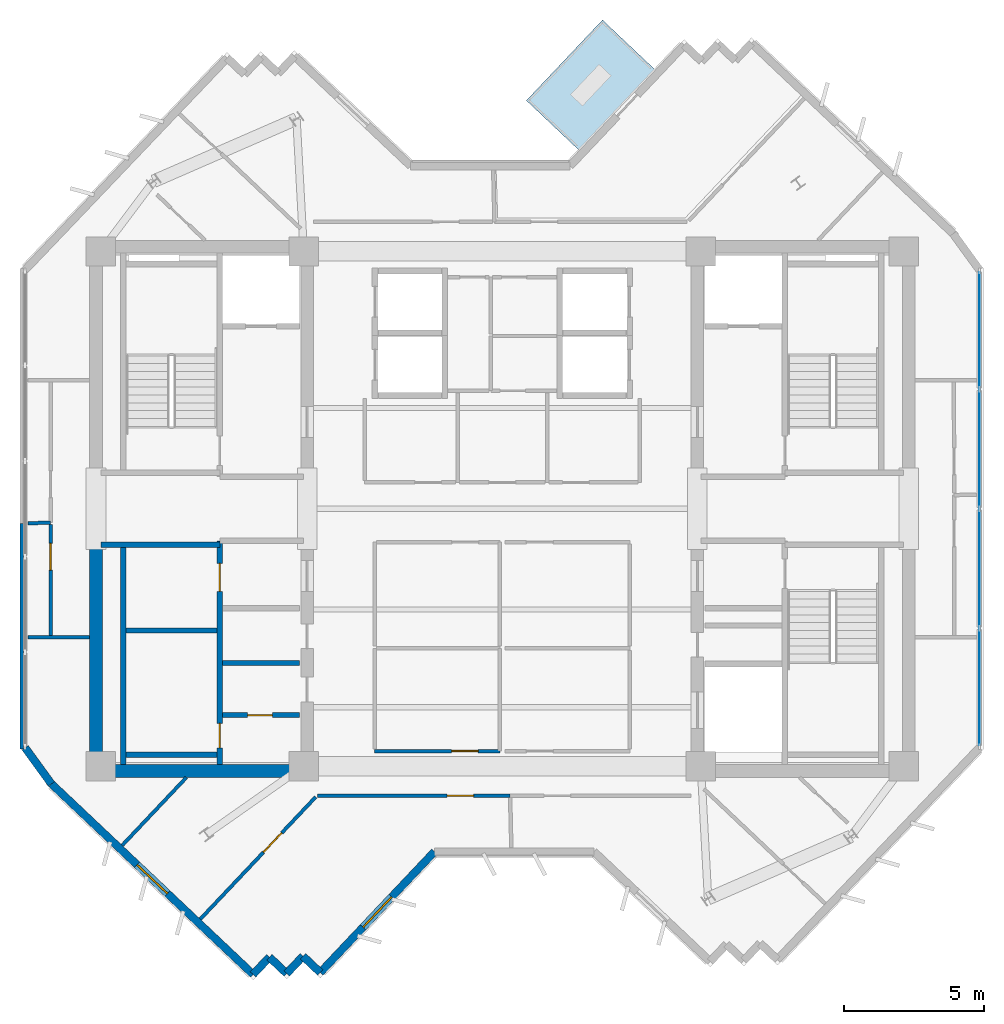
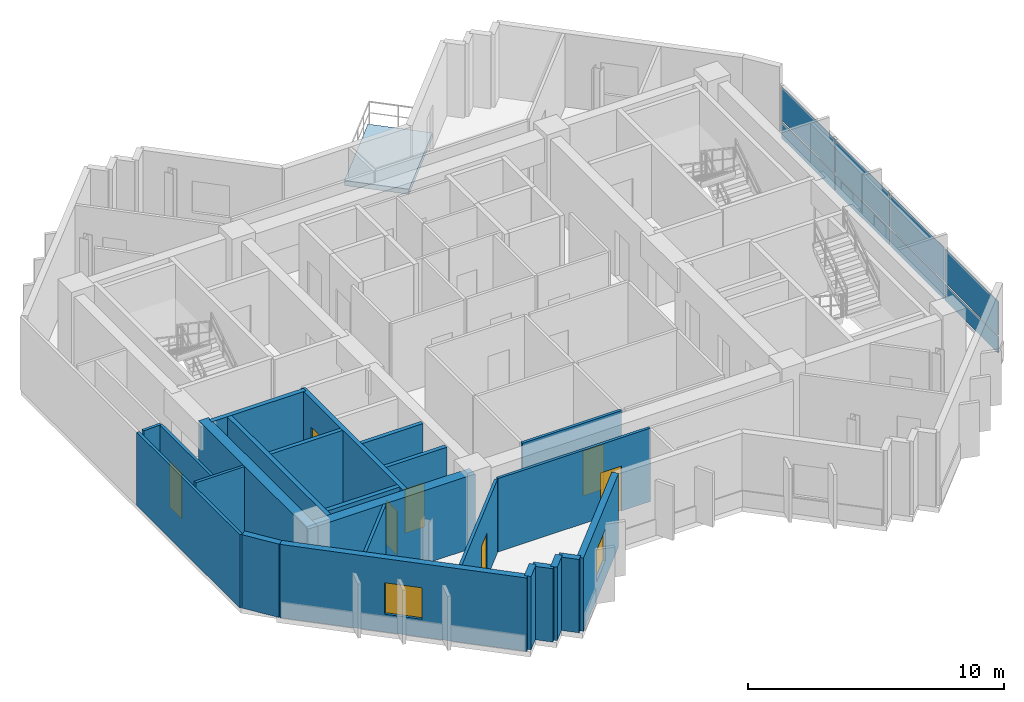
# One storey, part 3 of 9: 24 walls, 8 plates, 7 doors, 2 windows, 1 slab, 9 openings, 1 element without a shape of its own.
"""IFC4 building model written with IfcOpenShell, lengths in metres."""

from ifc_helpers import new_model, si_unit, direction, frame, frame_2d, origin, origin_2d, place, context, subcontext, project, spatial, polyline, rectangle, outline, extrude, source, transform, mapped, material, layer, layer_set, type_object, element, fill, aggregate, save


model = new_model("IFC4")

# Units and contexts
model_context = context("Model", 3, precision=1e-05, world=origin(), true_north=direction((0.0, 1.0)))
body_context = subcontext(model_context, "Body", "Model", "MODEL_VIEW")
ifc_project = project(units=[si_unit("LENGTHUNIT", "METRE"), si_unit("AREAUNIT", "SQUARE_METRE"), si_unit("VOLUMEUNIT", "CUBIC_METRE"), si_unit("PLANEANGLEUNIT", "RADIAN"), si_unit("MASSUNIT", "GRAM", prefix="KILO")], contexts=[model_context])

# Site, building, storey
site_placement = place(None, origin())
site = spatial("IfcSite", under=ifc_project, at=site_placement, CompositionType="ELEMENT")
building_placement = place(site_placement, origin())
building = spatial("IfcBuilding", under=site, at=building_placement, Name="Zahravan Cultural Tower", CompositionType="ELEMENT")
storey_placement = place(building_placement, frame((0.0, 0.0, 302.85009765625)))
storey = spatial("IfcBuildingStorey", under=building, at=storey_placement, Name="L73", CompositionType="ELEMENT", Elevation=302.85009765625)

# Slab
ifc_material_1 = material(Name="Concrete C40/50", Category="concrete")
ifc_layer_1 = layer(ifc_material_1, 0.239990234375)
ifc_layer_set_1 = layer_set([ifc_layer_1], Name="Concrete C40/50")
slab_type = type_object("IfcSlabType", Name="SL-TERR-240", PredefinedType="FLOOR", material=ifc_layer_set_1)
slab_placement = place(storey_placement, frame((0.0, 0.0, -0.239990234375)))
element("IfcSlab", 1, at=slab_placement, inside=storey, type_object=slab_type, Name="L73 Planted Sculpture Terrace NE", PredefinedType="FLOOR", context=body_context, shape_type="SweptSolid", body=[
    extrude(outline(polyline([(36.861328125, 41.596435546875), (38.747314453125, 39.814208984375), (41.46728515625, 42.692138671875), (39.581298828125, 44.474609375), (36.861328125, 41.596435546875)])), origin(), (0.0, 0.0, 1.0), 0.239990234375),
])

# Curtain wall, plates
ifc_material_2 = material(Name="Anodised bronze-aluminium mullion", Category="aluminium")
ifc_layer_2 = layer(ifc_material_2, 0.219970703125)
ifc_layer_set_2 = layer_set([ifc_layer_2], Name="Anodised bronze-aluminium mullion")
curtain_wall_type = type_object("IfcCurtainWallType", Name="CW-SYS-1", PredefinedType="USERDEFINED", material=ifc_layer_set_2)
curtain_wall_placement = place(storey_placement, origin())
curtain_wall = element("IfcCurtainWall", 2, at=curtain_wall_placement, inside=storey, type_object=curtain_wall_type, Name="L73 Recessed Curtain Wall CW-1.1", ObjectType="RECESSED GLAZING", PredefinedType="USERDEFINED")
ifc_material_3 = material(Name="Low-E solar-control double glazing", Category="glass")
ifc_layer_3 = layer(ifc_material_3, 0.031982421875)
ifc_layer_set_3 = layer_set([ifc_layer_3], Name="Low-E solar-control double glazing")
plate_type = type_object("IfcPlateType", Name="CWP-CW-1", PredefinedType="CURTAIN_PANEL", material=ifc_layer_set_3)
shared_shape_1 = source(origin(), body_context, "Body", "SweptSolid", [
    extrude(rectangle(XDim=4.15087890625, YDim=0.031982421875, at=origin_2d()), origin(), (0.0, 0.0, 1.0), 0.780029296875),
])
plate_1_placement = place(storey_placement, frame((53.06005859375, 33.386474609375, 0.080078125), z_axis=(0.0, 0.0, 1.0), x_axis=(0.0, -1.0, 0.0)))
plate_1 = element("IfcPlate", 3, at=plate_1_placement, type_object=plate_type, Name="CW-1 panel 1.1", PredefinedType="CURTAIN_PANEL", context=body_context, shape_type="MappedRepresentation", body=[
    mapped(shared_shape_1, transform((0.0, 0.0, 0.0), x_axis=(1.0, 0.0, 0.0), y_axis=(0.0, 1.0, 0.0), z_axis=(0.0, 0.0, 1.0), scale=1.0)),
])
plate_2_placement = place(storey_placement, frame((53.06005859375, 20.613525390625, 0.080078125), z_axis=(0.0, 0.0, 1.0), x_axis=(0.0, -1.0, 0.0)))
plate_2 = element("IfcPlate", 4, at=plate_2_placement, type_object=plate_type, Name="CW-1 panel 4.1", PredefinedType="CURTAIN_PANEL", context=body_context, shape_type="MappedRepresentation", body=[
    mapped(shared_shape_1, transform((0.0, 0.0, 0.0), x_axis=(1.0, 0.0, 0.0), y_axis=(0.0, 1.0, 0.0), z_axis=(0.0, 0.0, 1.0), scale=1.0)),
])
shared_shape_2 = source(origin(), body_context, "Body", "SweptSolid", [
    extrude(rectangle(XDim=4.15087890625, YDim=0.031982421875, at=origin_2d()), origin(), (0.0, 0.0, 1.0), 1.60009765625),
])
plate_3_placement = place(storey_placement, frame((53.06005859375, 33.386474609375, 0.93994140625), z_axis=(0.0, 0.0, 1.0), x_axis=(0.0, -1.0, 0.0)))
plate_3 = element("IfcPlate", 5, at=plate_3_placement, type_object=plate_type, Name="CW-1 panel 1.2", PredefinedType="CURTAIN_PANEL", context=body_context, shape_type="MappedRepresentation", body=[
    mapped(shared_shape_2, transform((0.0, 0.0, 0.0), x_axis=(1.0, 0.0, 0.0), y_axis=(0.0, 1.0, 0.0), z_axis=(0.0, 0.0, 1.0), scale=1.0)),
])
plate_4_placement = place(storey_placement, frame((53.06005859375, 20.613525390625, 0.93994140625), z_axis=(0.0, 0.0, 1.0), x_axis=(0.0, -1.0, 0.0)))
plate_4 = element("IfcPlate", 6, at=plate_4_placement, type_object=plate_type, Name="CW-1 panel 4.2", PredefinedType="CURTAIN_PANEL", context=body_context, shape_type="MappedRepresentation", body=[
    mapped(shared_shape_2, transform((0.0, 0.0, 0.0), x_axis=(1.0, 0.0, 0.0), y_axis=(0.0, 1.0, 0.0), z_axis=(0.0, 0.0, 1.0), scale=1.0)),
])
shared_shape_3 = source(origin(), body_context, "Body", "SweptSolid", [
    extrude(rectangle(XDim=4.19091796875, YDim=0.031982421875, at=origin_2d()), origin(), (0.0, 0.0, 1.0), 0.780029296875),
])
plate_5_placement = place(storey_placement, frame((53.06005859375, 29.135498046875, 0.080078125), z_axis=(0.0, 0.0, 1.0), x_axis=(0.0, -1.0, 0.0)))
plate_5 = element("IfcPlate", 7, at=plate_5_placement, type_object=plate_type, Name="CW-1 panel 2.1", PredefinedType="CURTAIN_PANEL", context=body_context, shape_type="MappedRepresentation", body=[
    mapped(shared_shape_3, transform((0.0, 0.0, 0.0), x_axis=(1.0, 0.0, 0.0), y_axis=(0.0, 1.0, 0.0), z_axis=(0.0, 0.0, 1.0), scale=1.0)),
])
plate_6_placement = place(storey_placement, frame((53.06005859375, 24.864501953125, 0.080078125), z_axis=(0.0, 0.0, 1.0), x_axis=(0.0, -1.0, 0.0)))
plate_6 = element("IfcPlate", 8, at=plate_6_placement, type_object=plate_type, Name="CW-1 panel 3.1", PredefinedType="CURTAIN_PANEL", context=body_context, shape_type="MappedRepresentation", body=[
    mapped(shared_shape_3, transform((0.0, 0.0, 0.0), x_axis=(1.0, 0.0, 0.0), y_axis=(0.0, 1.0, 0.0), z_axis=(0.0, 0.0, 1.0), scale=1.0)),
])
shared_shape_4 = source(origin(), body_context, "Body", "SweptSolid", [
    extrude(rectangle(XDim=4.19091796875, YDim=0.031982421875, at=origin_2d()), origin(), (0.0, 0.0, 1.0), 1.60009765625),
])
plate_7_placement = place(storey_placement, frame((53.06005859375, 29.135498046875, 0.93994140625), z_axis=(0.0, 0.0, 1.0), x_axis=(0.0, -1.0, 0.0)))
plate_7 = element("IfcPlate", 9, at=plate_7_placement, type_object=plate_type, Name="CW-1 panel 2.2", PredefinedType="CURTAIN_PANEL", context=body_context, shape_type="MappedRepresentation", body=[
    mapped(shared_shape_4, transform((0.0, 0.0, 0.0), x_axis=(1.0, 0.0, 0.0), y_axis=(0.0, 1.0, 0.0), z_axis=(0.0, 0.0, 1.0), scale=1.0)),
])
plate_8_placement = place(storey_placement, frame((53.06005859375, 24.864501953125, 0.93994140625), z_axis=(0.0, 0.0, 1.0), x_axis=(0.0, -1.0, 0.0)))
plate_8 = element("IfcPlate", 10, at=plate_8_placement, type_object=plate_type, Name="CW-1 panel 3.2", PredefinedType="CURTAIN_PANEL", context=body_context, shape_type="MappedRepresentation", body=[
    mapped(shared_shape_4, transform((0.0, 0.0, 0.0), x_axis=(1.0, 0.0, 0.0), y_axis=(0.0, 1.0, 0.0), z_axis=(0.0, 0.0, 1.0), scale=1.0)),
])
aggregate(curtain_wall, [plate_1, plate_3, plate_5, plate_7, plate_6, plate_8, plate_2, plate_4])

# Wall, opening, window
ifc_material_4 = material(Name="Precast concrete C40/50", Category="concrete")
ifc_layer_4 = layer(ifc_material_4, 0.280029296875)
ifc_layer_set_4 = layer_set([ifc_layer_4], Name="Precast concrete C40/50")
wall_type_1 = type_object("IfcWallType", Name="EW-TC-280", PredefinedType="SOLIDWALL", material=ifc_layer_set_4)
wall_1_placement = place(storey_placement, frame((33.576904296875, 14.739990234375, 0.0), z_axis=(0.0, 0.0, 1.0), x_axis=(-0.686888766374, -0.72676256276, 0.0)))
wall_1 = element("IfcWall", 11, at=wall_1_placement, inside=storey, type_object=wall_type_1, Name="L73 Exterior Masonry Frame Wall 15", PredefinedType="SOLIDWALL", context=body_context, shape_type="SweptSolid", body=[
    extrude(rectangle(XDim=5.9453125, YDim=0.280029296875, at=frame_2d((2.97265625, 0.0))), origin(), (0.0, 0.0, 1.0), 3.5),
])
opening_1_placement = place(wall_1_placement, frame((2.222900390625, 0.0, 0.85009765625)))
opening_1 = element("IfcOpeningElement", 12, at=opening_1_placement, cuts=wall_1, Name="Opening WN-03", PredefinedType="OPENING", context=body_context, shape_type="SweptSolid", body=[
    extrude(rectangle(XDim=1.5, YDim=1.5, at=frame_2d((0.75, 0.75))), frame((0.0, 0.14990234375, 0.0), z_axis=(0.0, -1.0, 0.0), x_axis=(1.0, 0.0, 0.0)), (0.0, 0.0, 1.0), 0.300048828125),
])
window_type = type_object("IfcWindowType", Name="WN-REC-1500X1500", PartitioningType="SINGLE_PANEL", PredefinedType="WINDOW", material=ifc_material_3)
shared_shape_5 = source(origin(), body_context, "Body", "SweptSolid", [
    extrude(rectangle(XDim=1.5, YDim=1.5, at=frame_2d((0.75, 0.75))), frame((0.0, 0.030029296875, 0.0), z_axis=(0.0, -1.0, 0.0), x_axis=(1.0, 0.0, 0.0)), (0.0, 0.0, 1.0), 0.06005859375),
])
window_1_placement = place(opening_1_placement, origin())
window_1 = element("IfcWindow", 13, at=window_1_placement, inside=storey, type_object=window_type, Name="L73 Recessed Solar Window 03", OverallHeight=1.5, OverallWidth=1.5, PartitioningType="SINGLE_PANEL", PredefinedType="WINDOW", context=body_context, shape_type="MappedRepresentation", body=[
    mapped(shared_shape_5, transform((0.0, 0.0, 0.0), x_axis=(1.0, 0.0, 0.0), y_axis=(0.0, 1.0, 0.0), z_axis=(0.0, 0.0, 1.0), scale=1.0)),
])
fill(opening_1, window_1)

wall_2_placement = place(storey_placement, frame((27.08984375, 10.351318359375, 0.0), z_axis=(0.0, 0.0, 1.0), x_axis=(-0.726772856404, 0.686877875022, 0.0)))
wall_2 = element("IfcWall", 14, at=wall_2_placement, inside=storey, type_object=wall_type_1, Name="L73 Exterior Masonry Frame Wall 20", PredefinedType="SOLIDWALL", context=body_context, shape_type="SweptSolid", body=[
    extrude(rectangle(XDim=9.919921875, YDim=0.280029296875, at=frame_2d((4.9599609375, 0.0))), origin(), (0.0, 0.0, 1.0), 3.5),
])
opening_2_placement = place(wall_2_placement, frame((4.2099609375, 0.0, 0.85009765625)))
opening_2 = element("IfcOpeningElement", 15, at=opening_2_placement, cuts=wall_2, Name="Opening WN-03", PredefinedType="OPENING", context=body_context, shape_type="SweptSolid", body=[
    extrude(rectangle(XDim=1.5, YDim=1.5, at=frame_2d((0.75, 0.75))), frame((0.0, 0.14990234375, 0.0), z_axis=(0.0, -1.0, 0.0), x_axis=(1.0, 0.0, 0.0)), (0.0, 0.0, 1.0), 0.300048828125),
])
window_2_placement = place(opening_2_placement, origin())
window_2 = element("IfcWindow", 16, at=window_2_placement, inside=storey, type_object=window_type, Name="L73 Recessed Solar Window 04", OverallHeight=1.5, OverallWidth=1.5, PartitioningType="SINGLE_PANEL", PredefinedType="WINDOW", context=body_context, shape_type="MappedRepresentation", body=[
    mapped(shared_shape_5, transform((0.0, 0.0, 0.0), x_axis=(1.0, 0.0, 0.0), y_axis=(0.0, 1.0, 0.0), z_axis=(0.0, 0.0, 1.0), scale=1.0)),
])
fill(opening_2, window_2)

# Wall, opening, door
ifc_material_5 = material(Name="Gypsum plasterboard partition")
ifc_layer_5 = layer(ifc_material_5, 0.179931640625)
ifc_layer_set_5 = layer_set([ifc_layer_5], Name="Gypsum plasterboard partition")
wall_type_2 = type_object("IfcWallType", Name="W-COMP-180", PredefinedType="PARTITIONING", material=ifc_layer_set_5)
wall_3_placement = place(storey_placement, frame((26.0, 19.6201171875, 0.0), z_axis=(0.0, 0.0, 1.0), x_axis=(1.0, 0.0, 0.0)))
wall_3 = element("IfcWall", 17, at=wall_3_placement, inside=storey, type_object=wall_type_2, Name="L73 Interior Wall 027", PredefinedType="PARTITIONING", context=body_context, shape_type="SweptSolid", body=[
    extrude(rectangle(XDim=2.75, YDim=0.179931640625, at=frame_2d((1.375, 0.0))), origin(), (0.0, 0.0, 1.0), 3.5),
])
opening_3_placement = place(wall_3_placement, frame((0.89990234375, 0.0, 0.0)))
opening_3 = element("IfcOpeningElement", 18, at=opening_3_placement, cuts=wall_3, Name="Opening D-L73-10", PredefinedType="OPENING", context=body_context, shape_type="SweptSolid", body=[
    extrude(rectangle(XDim=0.8798828125, YDim=2.10009765625, at=frame_2d((0.43994140625, 1.050048828125))), frame((0.0, 0.099853515625, 0.0), z_axis=(0.0, -1.0, 0.0), x_axis=(1.0, 0.0, 0.0)), (0.0, 0.0, 1.0), 0.199951171875),
])
ifc_material_6 = material(Name="Steel ASTM A572 Grade 50", Category="steel")
door_type_1 = type_object("IfcDoorType", Name="DR-SVC-880", OperationType="NOTDEFINED", PredefinedType="DOOR", material=ifc_material_6)
shared_shape_6 = source(origin(), body_context, "Body", "SweptSolid", [
    extrude(rectangle(XDim=0.8798828125, YDim=2.10009765625, at=frame_2d((0.43994140625, 1.050048828125))), frame((0.0, 0.02490234375, 0.0), z_axis=(0.0, -1.0, 0.0), x_axis=(1.0, 0.0, 0.0)), (0.0, 0.0, 1.0), 0.050048828125),
])
door_1_placement = place(opening_3_placement, origin())
door_1 = element("IfcDoor", 19, at=door_1_placement, inside=storey, type_object=door_type_1, Name="L73 Door D-L73-10", OperationType="SINGLE_SWING_RIGHT", OverallHeight=2.10009765625, OverallWidth=0.8798828125, PredefinedType="DOOR", context=body_context, shape_type="MappedRepresentation", body=[
    mapped(shared_shape_6, transform((0.0, 0.0, 0.0), x_axis=(1.0, 0.0, 0.0), y_axis=(0.0, 1.0, 0.0), z_axis=(0.0, 0.0, 1.0), scale=1.0)),
])
fill(opening_3, door_1)

ifc_layer_6 = layer(ifc_material_5, 0.125)
ifc_layer_set_6 = layer_set([ifc_layer_6], Name="Gypsum plasterboard partition")
wall_type_3 = type_object("IfcWallType", Name="W-PART-125", PredefinedType="PARTITIONING", material=ifc_layer_set_6)
wall_4_placement = place(storey_placement, frame((35.909912109375, 18.340087890625, 0.0), z_axis=(0.0, 0.0, 1.0), x_axis=(-1.0, 0.0, 0.0)))
wall_4 = element("IfcWall", 20, at=wall_4_placement, inside=storey, type_object=wall_type_3, Name="L73 Interior Wall 062", PredefinedType="PARTITIONING", context=body_context, shape_type="SweptSolid", body=[
    extrude(rectangle(XDim=4.469970703125, YDim=0.125, at=frame_2d((2.23486328125, 0.0))), origin(), (0.0, 0.0, 1.0), 3.5),
])
opening_4_placement = place(wall_4_placement, frame((0.7744140625, 0.0, 0.0)))
opening_4 = element("IfcOpeningElement", 21, at=opening_4_placement, cuts=wall_4, Name="Opening D-L73-14", PredefinedType="OPENING", context=body_context, shape_type="SweptSolid", body=[
    extrude(rectangle(XDim=0.949951171875, YDim=2.14990234375, at=frame_2d((0.47509765625, 1.074951171875))), frame((0.0, 0.072509765625, 0.0), z_axis=(0.0, -1.0, 0.0), x_axis=(1.0, 0.0, 0.0)), (0.0, 0.0, 1.0), 0.14501953125),
])
door_type_2 = type_object("IfcDoorType", Name="DR-ROOM-950", OperationType="NOTDEFINED", PredefinedType="DOOR", material=ifc_material_2)
shared_shape_7 = source(origin(), body_context, "Body", "SweptSolid", [
    extrude(rectangle(XDim=0.949951171875, YDim=2.14990234375, at=frame_2d((0.47509765625, 1.074951171875))), frame((0.0, 0.02490234375, 0.0), z_axis=(0.0, -1.0, 0.0), x_axis=(1.0, 0.0, 0.0)), (0.0, 0.0, 1.0), 0.050048828125),
])
door_2_placement = place(opening_4_placement, origin())
door_2 = element("IfcDoor", 22, at=door_2_placement, inside=storey, type_object=door_type_2, Name="L73 Door D-L73-14", OperationType="SINGLE_SWING_RIGHT", OverallHeight=2.14990234375, OverallWidth=0.949951171875, PredefinedType="DOOR", context=body_context, shape_type="MappedRepresentation", body=[
    mapped(shared_shape_7, transform((0.0, 0.0, 0.0), x_axis=(1.0, 0.0, 0.0), y_axis=(0.0, 1.0, 0.0), z_axis=(0.0, 0.0, 1.0), scale=1.0)),
])
fill(opening_4, door_2)

wall_5_placement = place(storey_placement, frame((29.32763671875, 16.693603515625, 0.0), z_axis=(0.0, 0.0, 1.0), x_axis=(-0.686871949206, -0.726778456886, 0.0)))
wall_5 = element("IfcWall", 23, at=wall_5_placement, inside=storey, type_object=wall_type_3, Name="L73 Interior Wall 084", PredefinedType="PARTITIONING", context=body_context, shape_type="SweptSolid", body=[
    extrude(rectangle(XDim=6.00146484375, YDim=0.125, at=frame_2d((3.000732421875, 0.0))), origin(), (0.0, 0.0, 1.0), 3.5),
])
opening_5_placement = place(wall_5_placement, frame((1.76806640625, 0.0, 0.0)))
opening_5 = element("IfcOpeningElement", 24, at=opening_5_placement, cuts=wall_5, Name="Opening D-L73-34", PredefinedType="OPENING", context=body_context, shape_type="SweptSolid", body=[
    extrude(rectangle(XDim=0.949951171875, YDim=2.14990234375, at=frame_2d((0.47509765625, 1.074951171875))), frame((0.0, 0.072509765625, 0.0), z_axis=(0.0, -1.0, 0.0), x_axis=(1.0, 0.0, 0.0)), (0.0, 0.0, 1.0), 0.14501953125),
])
door_3_placement = place(opening_5_placement, origin())
door_3 = element("IfcDoor", 25, at=door_3_placement, inside=storey, type_object=door_type_2, Name="L73 Door D-L73-34", OperationType="SINGLE_SWING_RIGHT", OverallHeight=2.14990234375, OverallWidth=0.949951171875, PredefinedType="DOOR", context=body_context, shape_type="MappedRepresentation", body=[
    mapped(shared_shape_7, transform((0.0, 0.0, 0.0), x_axis=(1.0, 0.0, 0.0), y_axis=(0.0, 1.0, 0.0), z_axis=(0.0, 0.0, 1.0), scale=1.0)),
])
fill(opening_5, door_3)

wall_6_placement = place(storey_placement, frame((19.85009765625, 26.43896484375, 0.0), z_axis=(0.0, 0.0, 1.0), x_axis=(0.000241837961, -0.999999970757, 0.0)))
wall_6 = element("IfcWall", 26, at=wall_6_placement, inside=storey, type_object=wall_type_3, Name="L73 Interior Wall 085", PredefinedType="PARTITIONING", context=body_context, shape_type="SweptSolid", body=[
    extrude(rectangle(XDim=4.0380859375, YDim=0.125, at=frame_2d((2.01904296875, 0.0))), origin(), (0.0, 0.0, 1.0), 3.5),
])
opening_6_placement = place(wall_6_placement, frame((0.679443359375, 0.0, 0.0)))
opening_6 = element("IfcOpeningElement", 27, at=opening_6_placement, cuts=wall_6, Name="Opening D-L73-27", PredefinedType="OPENING", context=body_context, shape_type="SweptSolid", body=[
    extrude(rectangle(XDim=0.949951171875, YDim=2.14990234375, at=frame_2d((0.47509765625, 1.074951171875))), frame((0.0, 0.072509765625, 0.0), z_axis=(0.0, -1.0, 0.0), x_axis=(1.0, 0.0, 0.0)), (0.0, 0.0, 1.0), 0.14501953125),
])
door_4_placement = place(opening_6_placement, origin())
door_4 = element("IfcDoor", 28, at=door_4_placement, inside=storey, type_object=door_type_2, Name="L73 Door D-L73-27", OperationType="SINGLE_SWING_LEFT", OverallHeight=2.14990234375, OverallWidth=0.949951171875, PredefinedType="DOOR", context=body_context, shape_type="MappedRepresentation", body=[
    mapped(shared_shape_7, transform((0.0, 0.0, 0.0), x_axis=(1.0, 0.0, 0.0), y_axis=(0.0, 1.0, 0.0), z_axis=(0.0, 0.0, 1.0), scale=1.0)),
])
fill(opening_6, door_4)

wall_7_placement = place(storey_placement, frame((29.399169921875, 16.739990234375, 0.0), z_axis=(0.0, 0.0, 1.0), x_axis=(1.0, 0.0, 0.0)))
wall_7 = element("IfcWall", 29, at=wall_7_placement, inside=storey, type_object=wall_type_3, Name="L73 Interior Wall 095", PredefinedType="PARTITIONING", context=body_context, shape_type="SweptSolid", body=[
    extrude(rectangle(XDim=6.880615234375, YDim=0.125, at=frame_2d((3.4404296875, 0.0))), origin(), (0.0, 0.0, 1.0), 3.5),
])
opening_7_placement = place(wall_7_placement, frame((4.6259765625, 0.0, 0.0)))
opening_7 = element("IfcOpeningElement", 30, at=opening_7_placement, cuts=wall_7, Name="Opening D-L73-28", PredefinedType="OPENING", context=body_context, shape_type="SweptSolid", body=[
    extrude(rectangle(XDim=0.949951171875, YDim=2.14990234375, at=frame_2d((0.47509765625, 1.074951171875))), frame((0.0, 0.072509765625, 0.0), z_axis=(0.0, -1.0, 0.0), x_axis=(1.0, 0.0, 0.0)), (0.0, 0.0, 1.0), 0.14501953125),
])
door_5_placement = place(opening_7_placement, origin())
door_5 = element("IfcDoor", 31, at=door_5_placement, inside=storey, type_object=door_type_2, Name="L73 Door D-L73-28", OperationType="SINGLE_SWING_RIGHT", OverallHeight=2.14990234375, OverallWidth=0.949951171875, PredefinedType="DOOR", context=body_context, shape_type="MappedRepresentation", body=[
    mapped(shared_shape_7, transform((0.0, 0.0, 0.0), x_axis=(1.0, 0.0, 0.0), y_axis=(0.0, 1.0, 0.0), z_axis=(0.0, 0.0, 1.0), scale=1.0)),
])
fill(opening_7, door_5)

# Wall, openings, doors
ifc_material_7 = material(Name="Concrete C45/55", Category="concrete")
ifc_layer_7 = layer(ifc_material_7, 0.199951171875)
ifc_layer_set_7 = layer_set([ifc_layer_7], Name="Concrete C45/55")
wall_type_4 = type_object("IfcWallType", Name="W-SHAFT-200", PredefinedType="SOLIDWALL", material=ifc_layer_set_7)
wall_8_placement = place(storey_placement, frame((25.89990234375, 17.85009765625, 0.0), z_axis=(0.0, 0.0, 1.0), x_axis=(0.0, 1.0, 0.0)))
wall_8 = element("IfcWall", 32, at=wall_8_placement, inside=storey, type_object=wall_type_4, Name="L73 Interior Wall 005", PredefinedType="SOLIDWALL", context=body_context, shape_type="SweptSolid", body=[
    extrude(rectangle(XDim=8.0, YDim=0.199951171875, at=frame_2d((4.0, 0.0))), origin(), (0.0, 0.0, 1.0), 3.5),
])
opening_8_placement = place(wall_8_placement, frame((6.199951171875, 0.0, 0.0)))
opening_8 = element("IfcOpeningElement", 33, at=opening_8_placement, cuts=wall_8, Name="Opening D-L73-04", PredefinedType="OPENING", context=body_context, shape_type="SweptSolid", body=[
    extrude(rectangle(XDim=1.0, YDim=2.14990234375, at=frame_2d((0.5, 1.074951171875))), frame((0.0, 0.10986328125, 0.0), z_axis=(0.0, -1.0, 0.0), x_axis=(1.0, 0.0, 0.0)), (0.0, 0.0, 1.0), 0.219970703125),
])
opening_9_placement = place(wall_8_placement, frame((0.60009765625, 0.0, 0.0)))
opening_9 = element("IfcOpeningElement", 34, at=opening_9_placement, cuts=wall_8, Name="Opening D-L73-05", PredefinedType="OPENING", context=body_context, shape_type="SweptSolid", body=[
    extrude(rectangle(XDim=0.8798828125, YDim=2.10009765625, at=frame_2d((0.43994140625, 1.050048828125))), frame((0.0, 0.10986328125, 0.0), z_axis=(0.0, -1.0, 0.0), x_axis=(1.0, 0.0, 0.0)), (0.0, 0.0, 1.0), 0.219970703125),
])
door_6_placement = place(opening_9_placement, origin())
door_6 = element("IfcDoor", 35, at=door_6_placement, inside=storey, type_object=door_type_1, Name="L73 Door D-L73-05", OperationType="SINGLE_SWING_LEFT", OverallHeight=2.10009765625, OverallWidth=0.8798828125, PredefinedType="DOOR", context=body_context, shape_type="MappedRepresentation", body=[
    mapped(shared_shape_6, transform((0.0, 0.0, 0.0), x_axis=(1.0, 0.0, 0.0), y_axis=(0.0, 1.0, 0.0), z_axis=(0.0, 0.0, 1.0), scale=1.0)),
])
fill(opening_9, door_6)
door_type_3 = type_object("IfcDoorType", Name="DR-COMP-1000", OperationType="NOTDEFINED", PredefinedType="DOOR", material=ifc_material_6)
shared_shape_8 = source(origin(), body_context, "Body", "SweptSolid", [
    extrude(rectangle(XDim=1.0, YDim=2.14990234375, at=frame_2d((0.5, 1.074951171875))), frame((0.0, 0.02490234375, 0.0), z_axis=(0.0, -1.0, 0.0), x_axis=(1.0, 0.0, 0.0)), (0.0, 0.0, 1.0), 0.050048828125),
])
door_7_placement = place(opening_8_placement, origin())
door_7 = element("IfcDoor", 36, at=door_7_placement, inside=storey, type_object=door_type_3, Name="L73 Door D-L73-04", OperationType="SINGLE_SWING_RIGHT", OverallHeight=2.14990234375, OverallWidth=1.0, PredefinedType="DOOR", context=body_context, shape_type="MappedRepresentation", body=[
    mapped(shared_shape_8, transform((0.0, 0.0, 0.0), x_axis=(1.0, 0.0, 0.0), y_axis=(0.0, 1.0, 0.0), z_axis=(0.0, 0.0, 1.0), scale=1.0)),
])
fill(opening_8, door_7)

# Walls
ifc_material_8 = material(Name="Concrete C50/60", Category="concrete")
ifc_layer_8 = layer(ifc_material_8, 0.449951171875)
ifc_layer_set_8 = layer_set([ifc_layer_8], Name="Concrete C50/60")
wall_type_5 = type_object("IfcWallType", Name="CW-SHEAR-450-C50", PredefinedType="SHEAR", material=ifc_layer_set_8)
shared_shape_9 = source(origin(), body_context, "Body", "SweptSolid", [
    extrude(rectangle(XDim=8.550048828125, YDim=0.449951171875, at=frame_2d((4.27490234375, 0.0))), origin(), (0.0, 0.0, 1.0), 3.5),
])
wall_9_placement = place(storey_placement, frame((21.47509765625, 17.39990234375, 0.0), z_axis=(0.0, 0.0, 1.0), x_axis=(0.0, 1.0, 0.0)))
element("IfcWall", 37, at=wall_9_placement, inside=storey, type_object=wall_type_5, Name="L73 Core Shear Wall CW-W-WS-L73", PredefinedType="SHEAR", context=body_context, shape_type="MappedRepresentation", body=[
    mapped(shared_shape_9, transform((0.0, 0.0, 0.0), x_axis=(1.0, 0.0, 0.0), y_axis=(0.0, 1.0, 0.0), z_axis=(0.0, 0.0, 1.0), scale=1.0)),
])
shared_shape_10 = source(origin(), body_context, "Body", "SweptSolid", [
    extrude(rectangle(XDim=7.10009765625, YDim=0.449951171875, at=frame_2d((3.550048828125, 0.0))), origin(), (0.0, 0.0, 1.0), 3.5),
])
wall_10_placement = place(storey_placement, frame((21.699951171875, 17.625, 0.0), z_axis=(0.0, 0.0, 1.0), x_axis=(1.0, 0.0, 0.0)))
element("IfcWall", 38, at=wall_10_placement, inside=storey, type_object=wall_type_5, Name="L73 Core Shear Wall CW-W-S-L73", PredefinedType="SHEAR", context=body_context, shape_type="MappedRepresentation", body=[
    mapped(shared_shape_10, transform((0.0, 0.0, 0.0), x_axis=(1.0, 0.0, 0.0), y_axis=(0.0, 1.0, 0.0), z_axis=(0.0, 0.0, 1.0), scale=1.0)),
])
shared_shape_11 = source(origin(), body_context, "Body", "SweptSolid", [
    extrude(rectangle(XDim=0.85009765625, YDim=0.280029296875, at=frame_2d((0.425048828125, 0.0))), origin(), (0.0, 0.0, 1.0), 3.5),
])
for number, where, z_axis, x_axis, name in (
    (39, (28.87548828125, 11.0029296875, 0.0), (0.0, 0.0, 1.0), (-0.687011382404, -0.726646654466, 0.0), "L73 Exterior Masonry Frame Wall 17"),
    (40, (27.673828125, 10.968994140625, 0.0), (0.0, 0.0, 1.0), (-0.687011382404, -0.726646654466, 0.0), "L73 Exterior Masonry Frame Wall 19"),
):
    element("IfcWall", number, at=place(storey_placement, frame(where, z_axis=z_axis, x_axis=x_axis)), inside=storey, type_object=wall_type_1, Name=name, PredefinedType="SOLIDWALL", context=body_context, shape_type="MappedRepresentation", body=[
        mapped(shared_shape_11, transform((0.0, 0.0, 0.0), x_axis=(1.0, 0.0, 0.0), y_axis=(0.0, 1.0, 0.0), z_axis=(0.0, 0.0, 1.0), scale=1.0)),
    ])
shared_shape_12 = source(origin(), body_context, "Body", "SweptSolid", [
    extrude(rectangle(XDim=0.849853515625, YDim=0.280029296875, at=frame_2d((0.4248046875, 0.0))), origin(), (0.0, 0.0, 1.0), 3.5),
])
for number, where, z_axis, x_axis, name in (
    (41, (29.4931640625, 10.419189453125, 0.0), (0.0, 0.0, 1.0), (-0.726790047388, 0.686859685101, 0.0), "L73 Exterior Masonry Frame Wall 16"),
    (42, (28.29150390625, 10.38525390625, 0.0), (0.0, 0.0, 1.0), (-0.726790047388, 0.686859685101, 0.0), "L73 Exterior Masonry Frame Wall 18"),
):
    element("IfcWall", number, at=place(storey_placement, frame(where, z_axis=z_axis, x_axis=x_axis)), inside=storey, type_object=wall_type_1, Name=name, PredefinedType="SOLIDWALL", context=body_context, shape_type="MappedRepresentation", body=[
        mapped(shared_shape_12, transform((0.0, 0.0, 0.0), x_axis=(1.0, 0.0, 0.0), y_axis=(0.0, 1.0, 0.0), z_axis=(0.0, 0.0, 1.0), scale=1.0)),
    ])
shared_shape_13 = source(origin(), body_context, "Body", "SweptSolid", [
    extrude(rectangle(XDim=1.598876953125, YDim=0.280029296875, at=frame_2d((0.79931640625, 0.0))), origin(), (0.0, 0.0, 1.0), 3.5),
])
wall_11_placement = place(storey_placement, frame((19.88037109375, 17.1650390625, 0.0), z_axis=(0.0, 0.0, 1.0), x_axis=(-0.58820801539, 0.808709670173, 0.0)))
element("IfcWall", 43, at=wall_11_placement, inside=storey, type_object=wall_type_1, Name="L73 Exterior Masonry Frame Wall 21", PredefinedType="SOLIDWALL", context=body_context, shape_type="MappedRepresentation", body=[
    mapped(shared_shape_13, transform((0.0, 0.0, 0.0), x_axis=(1.0, 0.0, 0.0), y_axis=(0.0, 1.0, 0.0), z_axis=(0.0, 0.0, 1.0), scale=1.0)),
])
shared_shape_14 = source(origin(), body_context, "Body", "SweptSolid", [
    extrude(rectangle(XDim=7.869873046875, YDim=0.199951171875, at=frame_2d((3.93505859375, 0.0))), origin(), (0.0, 0.0, 1.0), 3.5),
])
wall_12_placement = place(storey_placement, frame((22.449951171875, 17.85009765625, 0.0), z_axis=(0.0, 0.0, 1.0), x_axis=(0.0, 1.0, 0.0)))
element("IfcWall", 44, at=wall_12_placement, inside=storey, type_object=wall_type_4, Name="L73 Interior Wall 001", PredefinedType="SOLIDWALL", context=body_context, shape_type="MappedRepresentation", body=[
    mapped(shared_shape_14, transform((0.0, 0.0, 0.0), x_axis=(1.0, 0.0, 0.0), y_axis=(0.0, 1.0, 0.0), z_axis=(0.0, 0.0, 1.0), scale=1.0)),
])
shared_shape_15 = source(origin(), body_context, "Body", "SweptSolid", [
    extrude(rectangle(XDim=4.25, YDim=0.199951171875, at=frame_2d((2.125, 0.0))), origin(), (0.0, 0.0, 1.0), 3.5),
])
wall_13_placement = place(storey_placement, frame((21.64990234375, 25.715087890625, 0.0), z_axis=(0.0, 0.0, 1.0), x_axis=(1.0, 0.0, 0.0)))
element("IfcWall", 45, at=wall_13_placement, inside=storey, type_object=wall_type_4, Name="L73 Interior Wall 009", PredefinedType="SOLIDWALL", context=body_context, shape_type="MappedRepresentation", body=[
    mapped(shared_shape_15, transform((0.0, 0.0, 0.0), x_axis=(1.0, 0.0, 0.0), y_axis=(0.0, 1.0, 0.0), z_axis=(0.0, 0.0, 1.0), scale=1.0)),
])
shared_shape_16 = source(origin(), body_context, "Body", "SweptSolid", [
    extrude(rectangle(XDim=3.25, YDim=0.199951171875, at=frame_2d((1.625, 0.0))), origin(), (0.0, 0.0, 1.0), 3.5),
])
wall_14_placement = place(storey_placement, frame((22.550048828125, 18.199951171875, 0.0), z_axis=(0.0, 0.0, 1.0), x_axis=(1.0, 0.0, 0.0)))
element("IfcWall", 46, at=wall_14_placement, inside=storey, type_object=wall_type_4, Name="L73 Interior Wall 019", PredefinedType="SOLIDWALL", context=body_context, shape_type="MappedRepresentation", body=[
    mapped(shared_shape_16, transform((0.0, 0.0, 0.0), x_axis=(1.0, 0.0, 0.0), y_axis=(0.0, 1.0, 0.0), z_axis=(0.0, 0.0, 1.0), scale=1.0)),
])
shared_shape_17 = source(origin(), body_context, "Body", "SweptSolid", [
    extrude(rectangle(XDim=3.25, YDim=0.179931640625, at=frame_2d((1.625, 0.0))), origin(), (0.0, 0.0, 1.0), 3.5),
])
wall_15_placement = place(storey_placement, frame((22.550048828125, 22.64990234375, 0.0), z_axis=(0.0, 0.0, 1.0), x_axis=(1.0, 0.0, 0.0)))
element("IfcWall", 47, at=wall_15_placement, inside=storey, type_object=wall_type_2, Name="L73 Interior Wall 021", PredefinedType="PARTITIONING", context=body_context, shape_type="MappedRepresentation", body=[
    mapped(shared_shape_17, transform((0.0, 0.0, 0.0), x_axis=(1.0, 0.0, 0.0), y_axis=(0.0, 1.0, 0.0), z_axis=(0.0, 0.0, 1.0), scale=1.0)),
])
shared_shape_18 = source(origin(), body_context, "Body", "SweptSolid", [
    extrude(rectangle(XDim=2.75, YDim=0.179931640625, at=frame_2d((1.375, 0.0))), origin(), (0.0, 0.0, 1.0), 3.5),
])
wall_16_placement = place(storey_placement, frame((26.0, 21.47998046875, 0.0), z_axis=(0.0, 0.0, 1.0), x_axis=(1.0, 0.0, 0.0)))
element("IfcWall", 48, at=wall_16_placement, inside=storey, type_object=wall_type_2, Name="L73 Interior Wall 028", PredefinedType="PARTITIONING", context=body_context, shape_type="MappedRepresentation", body=[
    mapped(shared_shape_18, transform((0.0, 0.0, 0.0), x_axis=(1.0, 0.0, 0.0), y_axis=(0.0, 1.0, 0.0), z_axis=(0.0, 0.0, 1.0), scale=1.0)),
])
shared_shape_19 = source(origin(), body_context, "Body", "SweptSolid", [
    extrude(rectangle(XDim=2.205078125, YDim=0.125, at=frame_2d((1.1025390625, 0.0))), origin(), (0.0, 0.0, 1.0), 3.5),
])
wall_17_placement = place(storey_placement, frame((19.0400390625, 22.401611328125, 0.0), z_axis=(0.0, 0.0, 1.0), x_axis=(0.99999969967, -0.000775021911, 0.0)))
element("IfcWall", 49, at=wall_17_placement, inside=storey, type_object=wall_type_3, Name="L73 Interior Wall 086", PredefinedType="PARTITIONING", context=body_context, shape_type="MappedRepresentation", body=[
    mapped(shared_shape_19, transform((0.0, 0.0, 0.0), x_axis=(1.0, 0.0, 0.0), y_axis=(0.0, 1.0, 0.0), z_axis=(0.0, 0.0, 1.0), scale=1.0)),
])
shared_shape_20 = source(origin(), body_context, "Body", "SweptSolid", [
    extrude(rectangle(XDim=0.804443359375, YDim=0.125, at=frame_2d((0.40234375, 0.0))), origin(), (0.0, 0.0, 1.0), 3.5),
])
wall_18_placement = place(storey_placement, frame((19.848876953125, 26.506591796875, 0.0), z_axis=(0.0, 0.0, 1.0), x_axis=(-0.999452627665, -0.03308239794, 0.0)))
element("IfcWall", 50, at=wall_18_placement, inside=storey, type_object=wall_type_3, Name="L73 Interior Wall 079", PredefinedType="PARTITIONING", context=body_context, shape_type="MappedRepresentation", body=[
    mapped(shared_shape_20, transform((0.0, 0.0, 0.0), x_axis=(1.0, 0.0, 0.0), y_axis=(0.0, 1.0, 0.0), z_axis=(0.0, 0.0, 1.0), scale=1.0)),
])
shared_shape_21 = source(origin(), body_context, "Body", "SweptSolid", [
    extrude(rectangle(XDim=3.33740234375, YDim=0.125, at=frame_2d((1.668701171875, 0.0))), origin(), (0.0, 0.0, 1.0), 3.5),
])
wall_19_placement = place(storey_placement, frame((22.41455078125, 14.969482421875, 0.0), z_axis=(0.0, 0.0, 1.0), x_axis=(0.686891986515, 0.726759519278, 0.0)))
element("IfcWall", 51, at=wall_19_placement, inside=storey, type_object=wall_type_3, Name="L73 Interior Wall 083", PredefinedType="PARTITIONING", context=body_context, shape_type="MappedRepresentation", body=[
    mapped(shared_shape_21, transform((0.0, 0.0, 0.0), x_axis=(1.0, 0.0, 0.0), y_axis=(0.0, 1.0, 0.0), z_axis=(0.0, 0.0, 1.0), scale=1.0)),
])
shared_shape_22 = source(origin(), body_context, "Body", "SweptSolid", [
    extrude(rectangle(XDim=8.064453125, YDim=0.125, at=frame_2d((4.0322265625, 0.0))), origin(), (0.0, 0.0, 1.0), 3.5),
])
wall_20_placement = place(storey_placement, frame((18.820068359375, 18.408203125, 0.0), z_axis=(0.0, 0.0, 1.0), x_axis=(0.0, 1.0, 0.0)))
element("IfcWall", 52, at=wall_20_placement, inside=storey, type_object=wall_type_3, Name="L73 Interior Wall 087", PredefinedType="PARTITIONING", context=body_context, shape_type="MappedRepresentation", body=[
    mapped(shared_shape_22, transform((0.0, 0.0, 0.0), x_axis=(1.0, 0.0, 0.0), y_axis=(0.0, 1.0, 0.0), z_axis=(0.0, 0.0, 1.0), scale=1.0)),
])

save(model, "model.ifc")
